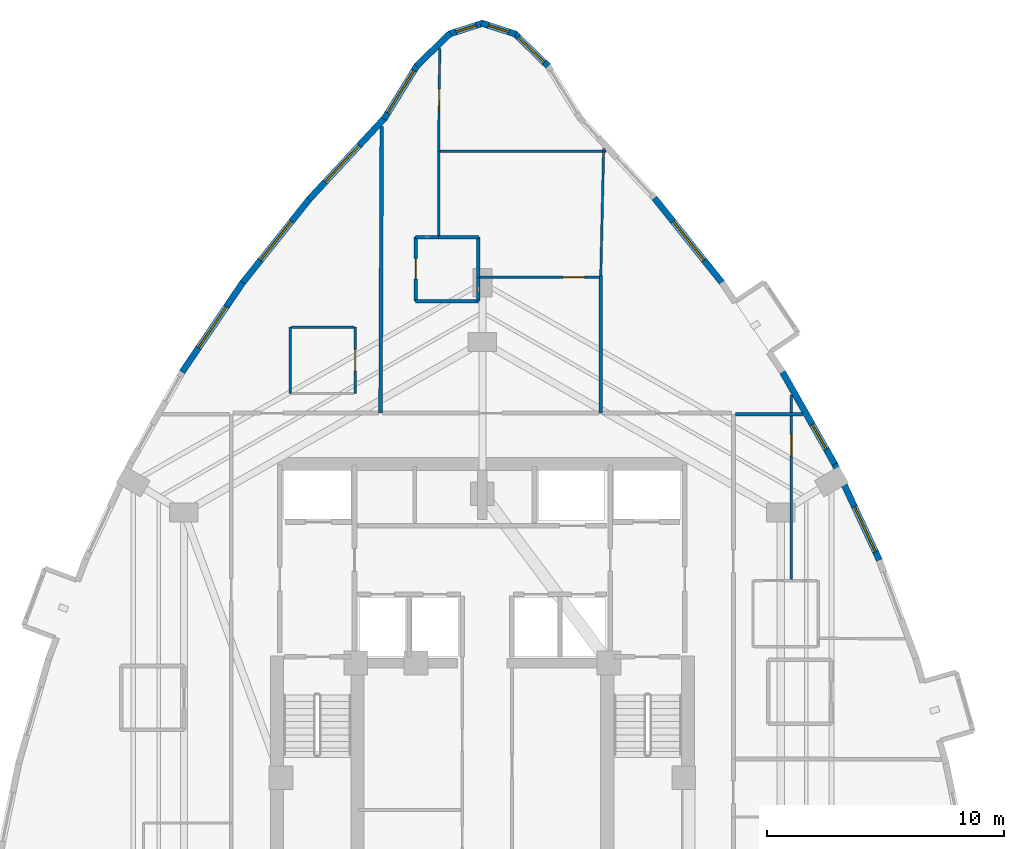
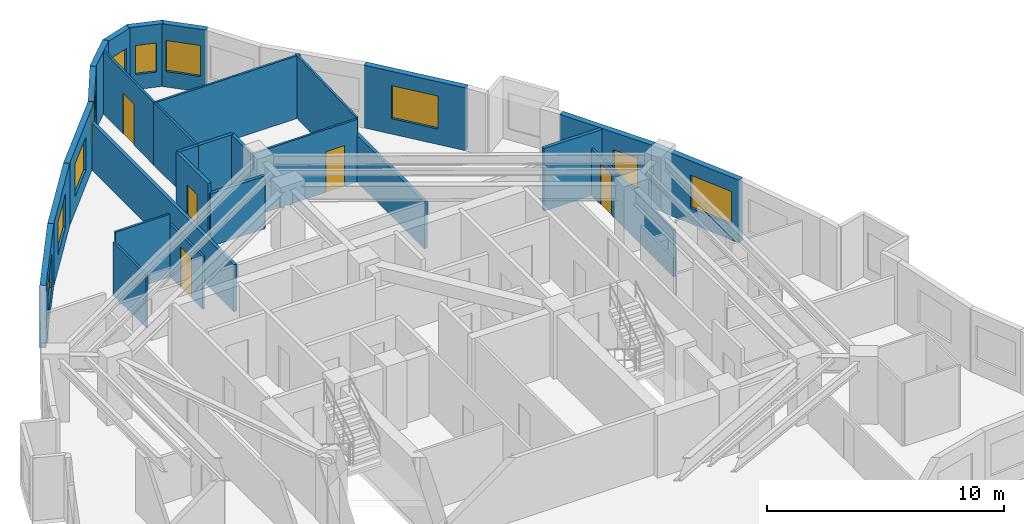
# One storey, part 8 of 10: 29 walls, 10 windows, 5 doors, 15 openings.
"""IFC4 building model written with IfcOpenShell, lengths in metres."""

from ifc_helpers import new_model, si_unit, direction, frame, frame_2d, origin, place, context, subcontext, project, spatial, rectangle, extrude, material, layer, layer_set, type_object, element, fill, save


model = new_model("IFC4")

# Units and contexts
model_context = context("Model", 3, precision=1e-05, world=origin(), true_north=direction((0.0, 1.0)))
body_context = subcontext(model_context, "Body", "Model", "MODEL_VIEW")
ifc_project = project(units=[si_unit("LENGTHUNIT", "METRE"), si_unit("AREAUNIT", "SQUARE_METRE"), si_unit("VOLUMEUNIT", "CUBIC_METRE"), si_unit("PLANEANGLEUNIT", "RADIAN"), si_unit("MASSUNIT", "GRAM", prefix="KILO")], contexts=[model_context])

# Site, building, storey
site_placement = place(None, origin())
site = spatial("IfcSite", under=ifc_project, at=site_placement, CompositionType="ELEMENT")
building_placement = place(site_placement, origin())
building = spatial("IfcBuilding", under=site, at=building_placement, Name="Miruveldt Soraemaru", CompositionType="ELEMENT")
storey_placement = place(building_placement, frame((0.0, 0.0, 124.89990234375)))
storey = spatial("IfcBuildingStorey", under=building, at=storey_placement, Name="L34", CompositionType="ELEMENT", Elevation=124.89990234375)

# Wall, opening, window
ifc_material_1 = material(Name="Precast concrete C45/55 (45 MPa)", Category="concrete")
ifc_layer_1 = layer(ifc_material_1, 0.27001953125, Name="Precast concrete C45/55 (45 MPa)", Category="concrete")
ifc_layer_set_1 = layer_set([ifc_layer_1], Name="Precast concrete C45/55 (45 MPa)")
wall_type_1 = type_object("IfcWallType", Name="WALL-EXT-PC270", PredefinedType="SOLIDWALL", material=ifc_layer_set_1)
wall_1_placement = place(storey_placement, frame((46.77978515625, 69.253173828125, 0.0), z_axis=(0.0, 0.0, 1.0), x_axis=(-0.717766525647, 0.696283860692, 0.0)))
wall_1 = element("IfcWall", 1, at=wall_1_placement, inside=storey, type_object=wall_type_1, Name="L34 Precast Concrete Facade Wall 2", PredefinedType="SOLIDWALL", context=body_context, shape_type="SweptSolid", body=[
    extrude(rectangle(XDim=1.98876953125, YDim=0.27001953125, at=frame_2d((0.994384765625, 0.0))), origin(), (0.0, 0.0, 1.0), 3.235107421875),
])
opening_1_placement = place(wall_1_placement, frame((0.243896484375, 0.0, 0.800048828125)))
opening_1 = element("IfcOpeningElement", 2, at=opening_1_placement, cuts=wall_1, Name="Opening WN-3", PredefinedType="OPENING", context=body_context, shape_type="SweptSolid", body=[
    extrude(rectangle(XDim=1.5, YDim=1.60009765625, at=frame_2d((0.75, 0.800048828125))), frame((0.0, 0.14501953125, 0.0), z_axis=(0.0, -1.0, 0.0), x_axis=(1.0, 0.0, 0.0)), (0.0, 0.0, 1.0), 0.2900390625),
])
ifc_material_2 = material(Name="Triple low-e insulated glazing", Category="glass")
window_type_1 = type_object("IfcWindowType", Name="WIN-PUNCH-1500x1600", PartitioningType="SINGLE_PANEL", PredefinedType="WINDOW", material=ifc_material_2)
window_1_placement = place(opening_1_placement, origin())
window_1 = element("IfcWindow", 3, at=window_1_placement, inside=storey, type_object=window_type_1, Name="L34 Punched Triple-Glazed Window 02.1", OverallHeight=1.60009765625, OverallWidth=1.5, PartitioningType="SINGLE_PANEL", PredefinedType="WINDOW", context=body_context, shape_type="SweptSolid", body=[
    extrude(rectangle(XDim=1.5, YDim=1.60009765625, at=frame_2d((0.75, 0.800048828125))), frame((0.0, 0.030029296875, 0.0), z_axis=(0.0, -1.0, 0.0), x_axis=(1.0, 0.0, 0.0)), (0.0, 0.0, 1.0), 0.06005859375),
])
fill(opening_1, window_1)

wall_2_placement = place(storey_placement, frame((45.41064453125, 70.602783203125, 0.0), z_axis=(0.0, 0.0, 1.0), x_axis=(-0.951508249715, 0.307623228518, 0.0)))
wall_2 = element("IfcWall", 4, at=wall_2_placement, inside=storey, type_object=wall_type_1, Name="L34 Precast Concrete Facade Wall 3", PredefinedType="SOLIDWALL", context=body_context, shape_type="SweptSolid", body=[
    extrude(rectangle(XDim=1.517333984375, YDim=0.27001953125, at=frame_2d((0.7587890625, 0.0))), origin(), (0.0, 0.0, 1.0), 3.235107421875),
])
opening_2_placement = place(wall_2_placement, frame((0.30908203125, 0.0, 0.780029296875)))
opening_2 = element("IfcOpeningElement", 5, at=opening_2_placement, cuts=wall_2, Name="Opening WN-7", PredefinedType="OPENING", context=body_context, shape_type="SweptSolid", body=[
    extrude(rectangle(XDim=0.89990234375, YDim=1.5, at=frame_2d((0.449951171875, 0.75))), frame((0.0, 0.14501953125, 0.0), z_axis=(0.0, -1.0, 0.0), x_axis=(1.0, 0.0, 0.0)), (0.0, 0.0, 1.0), 0.2900390625),
])
window_type_2 = type_object("IfcWindowType", Name="WIN-PUNCH-900x1500", PartitioningType="SINGLE_PANEL", PredefinedType="WINDOW", material=ifc_material_2)
window_2_placement = place(opening_2_placement, origin())
window_2 = element("IfcWindow", 6, at=window_2_placement, inside=storey, type_object=window_type_2, Name="L34 Punched Triple-Glazed Window 03.1", OverallHeight=1.5, OverallWidth=0.89990234375, PartitioningType="SINGLE_PANEL", PredefinedType="WINDOW", context=body_context, shape_type="SweptSolid", body=[
    extrude(rectangle(XDim=0.89990234375, YDim=1.5, at=frame_2d((0.449951171875, 0.75))), frame((0.0, 0.030029296875, 0.0), z_axis=(0.0, -1.0, 0.0), x_axis=(1.0, 0.0, 0.0)), (0.0, 0.0, 1.0), 0.06005859375),
])
fill(opening_2, window_2)

wall_3_placement = place(storey_placement, frame((44.033203125, 71.069580078125, 0.0), z_axis=(0.0, 0.0, 1.0), x_axis=(-0.951508249715, -0.307623228518, 0.0)))
wall_3 = element("IfcWall", 7, at=wall_3_placement, inside=storey, type_object=wall_type_1, Name="L34 Precast Concrete Facade Wall 4", PredefinedType="SOLIDWALL", context=body_context, shape_type="SweptSolid", body=[
    extrude(rectangle(XDim=1.517333984375, YDim=0.27001953125, at=frame_2d((0.7587890625, 0.0))), origin(), (0.0, 0.0, 1.0), 3.235107421875),
])
opening_3_placement = place(wall_3_placement, frame((0.30908203125, 0.0, 0.780029296875)))
opening_3 = element("IfcOpeningElement", 8, at=opening_3_placement, cuts=wall_3, Name="Opening WN-7", PredefinedType="OPENING", context=body_context, shape_type="SweptSolid", body=[
    extrude(rectangle(XDim=0.89990234375, YDim=1.5, at=frame_2d((0.449951171875, 0.75))), frame((0.0, 0.14501953125, 0.0), z_axis=(0.0, -1.0, 0.0), x_axis=(1.0, 0.0, 0.0)), (0.0, 0.0, 1.0), 0.2900390625),
])
window_3_placement = place(opening_3_placement, origin())
window_3 = element("IfcWindow", 9, at=window_3_placement, inside=storey, type_object=window_type_2, Name="L34 Punched Triple-Glazed Window 04.1", OverallHeight=1.5, OverallWidth=0.89990234375, PartitioningType="SINGLE_PANEL", PredefinedType="WINDOW", context=body_context, shape_type="SweptSolid", body=[
    extrude(rectangle(XDim=0.89990234375, YDim=1.5, at=frame_2d((0.449951171875, 0.75))), frame((0.0, 0.030029296875, 0.0), z_axis=(0.0, -1.0, 0.0), x_axis=(1.0, 0.0, 0.0)), (0.0, 0.0, 1.0), 0.06005859375),
])
fill(opening_3, window_3)

# Wall
wall_4_placement = place(storey_placement, frame((42.647705078125, 70.637939453125, 0.0), z_axis=(0.0, 0.0, 1.0), x_axis=(-0.717766525647, -0.696283860692, 0.0)))
element("IfcWall", 10, at=wall_4_placement, inside=storey, type_object=wall_type_1, Name="L34 Precast Concrete Facade Wall 5", PredefinedType="SOLIDWALL", context=body_context, shape_type="SweptSolid", body=[
    extrude(rectangle(XDim=1.98876953125, YDim=0.27001953125, at=frame_2d((0.994384765625, 0.0))), origin(), (0.0, 0.0, 1.0), 3.235107421875),
])

# Wall, opening, window
wall_5_placement = place(storey_placement, frame((41.263671875, 69.307373046875, 0.0), z_axis=(0.0, 0.0, 1.0), x_axis=(-0.526066967344, -0.850443146759, 0.0)))
wall_5 = element("IfcWall", 11, at=wall_5_placement, inside=storey, type_object=wall_type_1, Name="L34 Precast Concrete Facade Wall 6", PredefinedType="SOLIDWALL", context=body_context, shape_type="SweptSolid", body=[
    extrude(rectangle(XDim=2.6884765625, YDim=0.27001953125, at=frame_2d((1.34423828125, 0.0))), origin(), (0.0, 0.0, 1.0), 3.235107421875),
])
opening_4_placement = place(wall_5_placement, frame((0.2939453125, 0.0, 0.800048828125)))
opening_4 = element("IfcOpeningElement", 12, at=opening_4_placement, cuts=wall_5, Name="Opening WN-1", PredefinedType="OPENING", context=body_context, shape_type="SweptSolid", body=[
    extrude(rectangle(XDim=2.10009765625, YDim=1.699951171875, at=frame_2d((1.050048828125, 0.85009765625))), frame((0.0, 0.14501953125, 0.0), z_axis=(0.0, -1.0, 0.0), x_axis=(1.0, 0.0, 0.0)), (0.0, 0.0, 1.0), 0.2900390625),
])
window_type_3 = type_object("IfcWindowType", Name="WIN-PUNCH-2100x1700", PartitioningType="SINGLE_PANEL", PredefinedType="WINDOW", material=ifc_material_2)
window_4_placement = place(opening_4_placement, origin())
window_4 = element("IfcWindow", 13, at=window_4_placement, inside=storey, type_object=window_type_3, Name="L34 Punched Triple-Glazed Window 06.1", OverallHeight=1.699951171875, OverallWidth=2.10009765625, PartitioningType="SINGLE_PANEL", PredefinedType="WINDOW", context=body_context, shape_type="SweptSolid", body=[
    extrude(rectangle(XDim=2.10009765625, YDim=1.699951171875, at=frame_2d((1.050048828125, 0.85009765625))), frame((0.0, 0.030029296875, 0.0), z_axis=(0.0, -1.0, 0.0), x_axis=(1.0, 0.0, 0.0)), (0.0, 0.0, 1.0), 0.06005859375),
])
fill(opening_4, window_4)

wall_6_placement = place(storey_placement, frame((39.8916015625, 67.076416015625, 0.0), z_axis=(0.0, 0.0, 1.0), x_axis=(-0.680872527791, -0.732401939442, 0.0)))
wall_6 = element("IfcWall", 14, at=wall_6_placement, inside=storey, type_object=wall_type_1, Name="L34 Precast Concrete Facade Wall 7", PredefinedType="SOLIDWALL", context=body_context, shape_type="SweptSolid", body=[
    extrude(rectangle(XDim=4.70947265625, YDim=0.27001953125, at=frame_2d((2.354736328125, 0.0))), origin(), (0.0, 0.0, 1.0), 3.235107421875),
])
opening_5_placement = place(wall_6_placement, frame((1.60693359375, 0.0, 0.800048828125)))
opening_5 = element("IfcOpeningElement", 15, at=opening_5_placement, cuts=wall_6, Name="Opening WN-1", PredefinedType="OPENING", context=body_context, shape_type="SweptSolid", body=[
    extrude(rectangle(XDim=2.10009765625, YDim=1.699951171875, at=frame_2d((1.050048828125, 0.85009765625))), frame((0.0, 0.14501953125, 0.0), z_axis=(0.0, -1.0, 0.0), x_axis=(1.0, 0.0, 0.0)), (0.0, 0.0, 1.0), 0.2900390625),
])
window_5_placement = place(opening_5_placement, origin())
window_5 = element("IfcWindow", 16, at=window_5_placement, inside=storey, type_object=window_type_3, Name="L34 Punched Triple-Glazed Window 07.1", OverallHeight=1.699951171875, OverallWidth=2.10009765625, PartitioningType="SINGLE_PANEL", PredefinedType="WINDOW", context=body_context, shape_type="SweptSolid", body=[
    extrude(rectangle(XDim=2.10009765625, YDim=1.699951171875, at=frame_2d((1.050048828125, 0.85009765625))), frame((0.0, 0.030029296875, 0.0), z_axis=(0.0, -1.0, 0.0), x_axis=(1.0, 0.0, 0.0)), (0.0, 0.0, 1.0), 0.06005859375),
])
fill(opening_5, window_5)

wall_7_placement = place(storey_placement, frame((36.730712890625, 63.680419921875, 0.0), z_axis=(0.0, 0.0, 1.0), x_axis=(-0.62361968667, -0.781727885135, 0.0)))
wall_7 = element("IfcWall", 17, at=wall_7_placement, inside=storey, type_object=wall_type_1, Name="L34 Precast Concrete Facade Wall 8", PredefinedType="SOLIDWALL", context=body_context, shape_type="SweptSolid", body=[
    extrude(rectangle(XDim=4.626220703125, YDim=0.27001953125, at=frame_2d((2.31298828125, 0.0))), origin(), (0.0, 0.0, 1.0), 3.235107421875),
])
opening_6_placement = place(wall_7_placement, frame((1.262939453125, 0.0, 0.800048828125)))
opening_6 = element("IfcOpeningElement", 18, at=opening_6_placement, cuts=wall_7, Name="Opening WN-1", PredefinedType="OPENING", context=body_context, shape_type="SweptSolid", body=[
    extrude(rectangle(XDim=2.10009765625, YDim=1.699951171875, at=frame_2d((1.050048828125, 0.85009765625))), frame((0.0, 0.14501953125, 0.0), z_axis=(0.0, -1.0, 0.0), x_axis=(1.0, 0.0, 0.0)), (0.0, 0.0, 1.0), 0.2900390625),
])
window_6_placement = place(opening_6_placement, origin())
window_6 = element("IfcWindow", 19, at=window_6_placement, inside=storey, type_object=window_type_3, Name="L34 Punched Triple-Glazed Window 08.1", OverallHeight=1.699951171875, OverallWidth=2.10009765625, PartitioningType="SINGLE_PANEL", PredefinedType="WINDOW", context=body_context, shape_type="SweptSolid", body=[
    extrude(rectangle(XDim=2.10009765625, YDim=1.699951171875, at=frame_2d((1.050048828125, 0.85009765625))), frame((0.0, 0.030029296875, 0.0), z_axis=(0.0, -1.0, 0.0), x_axis=(1.0, 0.0, 0.0)), (0.0, 0.0, 1.0), 0.06005859375),
])
fill(opening_6, window_6)

wall_8_placement = place(storey_placement, frame((33.88720703125, 60.120361328125, 0.0), z_axis=(0.0, 0.0, 1.0), x_axis=(-0.560812705156, -0.827942697133, 0.0)))
wall_8 = element("IfcWall", 20, at=wall_8_placement, inside=storey, type_object=wall_type_1, Name="L34 Precast Concrete Facade Wall 9", PredefinedType="SOLIDWALL", context=body_context, shape_type="SweptSolid", body=[
    extrude(rectangle(XDim=4.569580078125, YDim=0.27001953125, at=frame_2d((2.28466796875, 0.0))), origin(), (0.0, 0.0, 1.0), 3.235107421875),
])
opening_7_placement = place(wall_8_placement, frame((1.235107421875, 0.0, 0.800048828125)))
opening_7 = element("IfcOpeningElement", 21, at=opening_7_placement, cuts=wall_8, Name="Opening WN-1", PredefinedType="OPENING", context=body_context, shape_type="SweptSolid", body=[
    extrude(rectangle(XDim=2.10009765625, YDim=1.699951171875, at=frame_2d((1.050048828125, 0.85009765625))), frame((0.0, 0.14501953125, 0.0), z_axis=(0.0, -1.0, 0.0), x_axis=(1.0, 0.0, 0.0)), (0.0, 0.0, 1.0), 0.2900390625),
])
window_7_placement = place(opening_7_placement, origin())
window_7 = element("IfcWindow", 22, at=window_7_placement, inside=storey, type_object=window_type_3, Name="L34 Punched Triple-Glazed Window 09.1", OverallHeight=1.699951171875, OverallWidth=2.10009765625, PartitioningType="SINGLE_PANEL", PredefinedType="WINDOW", context=body_context, shape_type="SweptSolid", body=[
    extrude(rectangle(XDim=2.10009765625, YDim=1.699951171875, at=frame_2d((1.050048828125, 0.85009765625))), frame((0.0, 0.030029296875, 0.0), z_axis=(0.0, -1.0, 0.0), x_axis=(1.0, 0.0, 0.0)), (0.0, 0.0, 1.0), 0.06005859375),
])
fill(opening_7, window_7)

wall_9_placement = place(storey_placement, frame((60.764892578125, 48.39208984375, 0.0), z_axis=(0.0, 0.0, 1.0), x_axis=(-0.422335038646, 0.906439802266, 0.0)))
wall_9 = element("IfcWall", 23, at=wall_9_placement, inside=storey, type_object=wall_type_1, Name="L34 Precast Concrete Facade Wall 38", PredefinedType="SOLIDWALL", context=body_context, shape_type="SweptSolid", body=[
    extrude(rectangle(XDim=4.541259765625, YDim=0.27001953125, at=frame_2d((2.2705078125, 0.0))), origin(), (0.0, 0.0, 1.0), 3.235107421875),
])
opening_8_placement = place(wall_9_placement, frame((0.39404296875, 0.0, 0.800048828125)))
opening_8 = element("IfcOpeningElement", 24, at=opening_8_placement, cuts=wall_9, Name="Opening WN-1", PredefinedType="OPENING", context=body_context, shape_type="SweptSolid", body=[
    extrude(rectangle(XDim=2.10009765625, YDim=1.699951171875, at=frame_2d((1.050048828125, 0.85009765625))), frame((0.0, 0.14501953125, 0.0), z_axis=(0.0, -1.0, 0.0), x_axis=(1.0, 0.0, 0.0)), (0.0, 0.0, 1.0), 0.2900390625),
])
window_8_placement = place(opening_8_placement, origin())
window_8 = element("IfcWindow", 25, at=window_8_placement, inside=storey, type_object=window_type_3, Name="L34 Punched Triple-Glazed Window 38.1", OverallHeight=1.699951171875, OverallWidth=2.10009765625, PartitioningType="SINGLE_PANEL", PredefinedType="WINDOW", context=body_context, shape_type="SweptSolid", body=[
    extrude(rectangle(XDim=2.10009765625, YDim=1.699951171875, at=frame_2d((1.050048828125, 0.85009765625))), frame((0.0, 0.030029296875, 0.0), z_axis=(0.0, -1.0, 0.0), x_axis=(1.0, 0.0, 0.0)), (0.0, 0.0, 1.0), 0.06005859375),
])
fill(opening_8, window_8)

wall_10_placement = place(storey_placement, frame((58.879150390625, 52.4462890625, 0.0), z_axis=(0.0, 0.0, 1.0), x_axis=(-0.49335164036, 0.869829959793, 0.0)))
wall_10 = element("IfcWall", 26, at=wall_10_placement, inside=storey, type_object=wall_type_1, Name="L34 Precast Concrete Facade Wall 39", PredefinedType="SOLIDWALL", context=body_context, shape_type="SweptSolid", body=[
    extrude(rectangle(XDim=4.541259765625, YDim=0.27001953125, at=frame_2d((2.2705078125, 0.0))), origin(), (0.0, 0.0, 1.0), 3.235107421875),
])
opening_9_placement = place(wall_10_placement, frame((0.72900390625, 0.0, 0.780029296875)))
opening_9 = element("IfcOpeningElement", 27, at=opening_9_placement, cuts=wall_10, Name="Opening WN-4", PredefinedType="OPENING", context=body_context, shape_type="SweptSolid", body=[
    extrude(rectangle(XDim=1.199951171875, YDim=1.550048828125, at=frame_2d((0.60009765625, 0.77490234375))), frame((0.0, 0.14501953125, 0.0), z_axis=(0.0, -1.0, 0.0), x_axis=(1.0, 0.0, 0.0)), (0.0, 0.0, 1.0), 0.2900390625),
])
window_type_4 = type_object("IfcWindowType", Name="WIN-PUNCH-1200x1550", PartitioningType="SINGLE_PANEL", PredefinedType="WINDOW", material=ifc_material_2)
window_9_placement = place(opening_9_placement, origin())
window_9 = element("IfcWindow", 28, at=window_9_placement, inside=storey, type_object=window_type_4, Name="L34 Punched Triple-Glazed Window 39.1", OverallHeight=1.550048828125, OverallWidth=1.199951171875, PartitioningType="SINGLE_PANEL", PredefinedType="WINDOW", context=body_context, shape_type="SweptSolid", body=[
    extrude(rectangle(XDim=1.199951171875, YDim=1.550048828125, at=frame_2d((0.60009765625, 0.77490234375))), frame((0.0, 0.030029296875, 0.0), z_axis=(0.0, -1.0, 0.0), x_axis=(1.0, 0.0, 0.0)), (0.0, 0.0, 1.0), 0.06005859375),
])
fill(opening_9, window_9)

wall_11_placement = place(storey_placement, frame((54.154296875, 60.06396484375, 0.0), z_axis=(0.0, 0.0, 1.0), x_axis=(-0.62361968667, 0.781727885135, 0.0)))
wall_11 = element("IfcWall", 29, at=wall_11_placement, inside=storey, type_object=wall_type_1, Name="L34 Precast Concrete Facade Wall 41", PredefinedType="SOLIDWALL", context=body_context, shape_type="SweptSolid", body=[
    extrude(rectangle(XDim=4.626220703125, YDim=0.27001953125, at=frame_2d((2.31298828125, 0.0))), origin(), (0.0, 0.0, 1.0), 3.235107421875),
])
opening_10_placement = place(wall_11_placement, frame((1.262939453125, 0.0, 0.800048828125)))
opening_10 = element("IfcOpeningElement", 30, at=opening_10_placement, cuts=wall_11, Name="Opening WN-1", PredefinedType="OPENING", context=body_context, shape_type="SweptSolid", body=[
    extrude(rectangle(XDim=2.10009765625, YDim=1.699951171875, at=frame_2d((1.050048828125, 0.85009765625))), frame((0.0, 0.14501953125, 0.0), z_axis=(0.0, -1.0, 0.0), x_axis=(1.0, 0.0, 0.0)), (0.0, 0.0, 1.0), 0.2900390625),
])
window_10_placement = place(opening_10_placement, origin())
window_10 = element("IfcWindow", 31, at=window_10_placement, inside=storey, type_object=window_type_3, Name="L34 Punched Triple-Glazed Window 41.1", OverallHeight=1.699951171875, OverallWidth=2.10009765625, PartitioningType="SINGLE_PANEL", PredefinedType="WINDOW", context=body_context, shape_type="SweptSolid", body=[
    extrude(rectangle(XDim=2.10009765625, YDim=1.699951171875, at=frame_2d((1.050048828125, 0.85009765625))), frame((0.0, 0.030029296875, 0.0), z_axis=(0.0, -1.0, 0.0), x_axis=(1.0, 0.0, 0.0)), (0.0, 0.0, 1.0), 0.06005859375),
])
fill(opening_10, window_10)

# Wall, opening, door
ifc_material_3 = material(Name="Gypsum plasterboard lining", Category="gypsum")
ifc_layer_2 = layer(ifc_material_3, 0.10009765625, Name="Gypsum plasterboard lining", Category="gypsum")
ifc_layer_set_2 = layer_set([ifc_layer_2], Name="Gypsum plasterboard lining")
wall_type_2 = type_object("IfcWallType", Name="WALL-INT-P100", PredefinedType="PARTITIONING", material=ifc_layer_set_2)
wall_12_placement = place(storey_placement, frame((57.050048828125, 47.530029296875, 0.0), z_axis=(0.0, 0.0, 1.0), x_axis=(0.0, 1.0, 0.0)))
wall_12 = element("IfcWall", 32, at=wall_12_placement, inside=storey, type_object=wall_type_2, Name="L34 Partition Wall 48", PredefinedType="PARTITIONING", context=body_context, shape_type="SweptSolid", body=[
    extrude(rectangle(XDim=7.8369140625, YDim=0.10009765625, at=frame_2d((3.91845703125, 0.0))), origin(), (0.0, 0.0, 1.0), 2.423095703125),
])
opening_11_placement = place(wall_12_placement, frame((5.258056640625, 0.0, 0.0)))
opening_11 = element("IfcOpeningElement", 33, at=opening_11_placement, cuts=wall_12, Name="Opening D3A", PredefinedType="OPENING", context=body_context, shape_type="SweptSolid", body=[
    extrude(rectangle(XDim=0.919921875, YDim=2.10009765625, at=frame_2d((0.4599609375, 1.050048828125))), frame((0.0, 0.06005859375, 0.0), z_axis=(0.0, -1.0, 0.0), x_axis=(1.0, 0.0, 0.0)), (0.0, 0.0, 1.0), 0.1201171875),
])
ifc_material_4 = material(Name="Anodised aluminium EN AW-6063 T6", Category="aluminium")
door_type_1 = type_object("IfcDoorType", Name="DOOR-INT-920", OperationType="NOTDEFINED", PredefinedType="DOOR", material=ifc_material_4)
door_1_placement = place(opening_11_placement, origin())
door_1 = element("IfcDoor", 34, at=door_1_placement, inside=storey, type_object=door_type_1, Name="L34 Unit 3406 BD1 Door", OperationType="SINGLE_SWING_LEFT", OverallHeight=2.10009765625, OverallWidth=0.919921875, PredefinedType="DOOR", context=body_context, shape_type="SweptSolid", body=[
    extrude(rectangle(XDim=0.919921875, YDim=2.10009765625, at=frame_2d((0.4599609375, 1.050048828125))), frame((0.0, 0.02490234375, 0.0), z_axis=(0.0, -1.0, 0.0), x_axis=(1.0, 0.0, 0.0)), (0.0, 0.0, 1.0), 0.050048828125),
])
fill(opening_11, door_1)

wall_13_placement = place(storey_placement, frame((48.949951171875, 60.3310546875, 0.0), z_axis=(0.0, 0.0, 1.0), x_axis=(-1.0, 0.0, 0.0)))
wall_13 = element("IfcWall", 35, at=wall_13_placement, inside=storey, type_object=wall_type_2, Name="L34 Partition Wall 22", PredefinedType="PARTITIONING", context=body_context, shape_type="SweptSolid", body=[
    extrude(rectangle(XDim=5.06689453125, YDim=0.10009765625, at=frame_2d((2.533447265625, 0.0))), origin(), (0.0, 0.0, 1.0), 3.235107421875),
])
opening_12_placement = place(wall_13_placement, frame((0.634033203125, 0.0, 0.0)))
opening_12 = element("IfcOpeningElement", 36, at=opening_12_placement, cuts=wall_13, Name="Opening D3A", PredefinedType="OPENING", context=body_context, shape_type="SweptSolid", body=[
    extrude(rectangle(XDim=0.919921875, YDim=2.10009765625, at=frame_2d((0.4599609375, 1.050048828125))), frame((0.0, 0.06005859375, 0.0), z_axis=(0.0, -1.0, 0.0), x_axis=(1.0, 0.0, 0.0)), (0.0, 0.0, 1.0), 0.1201171875),
])
door_2_placement = place(opening_12_placement, origin())
door_2 = element("IfcDoor", 37, at=door_2_placement, inside=storey, type_object=door_type_1, Name="L34 Unit 3402 BD1 Door", OperationType="SINGLE_SWING_RIGHT", OverallHeight=2.10009765625, OverallWidth=0.919921875, PredefinedType="DOOR", context=body_context, shape_type="SweptSolid", body=[
    extrude(rectangle(XDim=0.919921875, YDim=2.10009765625, at=frame_2d((0.4599609375, 1.050048828125))), frame((0.0, 0.02490234375, 0.0), z_axis=(0.0, -1.0, 0.0), x_axis=(1.0, 0.0, 0.0)), (0.0, 0.0, 1.0), 0.050048828125),
])
fill(opening_12, door_2)

wall_14_placement = place(storey_placement, frame((42.153076171875, 65.653076171875, 0.0), z_axis=(0.0, 0.0, 1.0), x_axis=(0.011239665407, 0.999936832966, 0.0)))
wall_14 = element("IfcWall", 38, at=wall_14_placement, inside=storey, type_object=wall_type_2, Name="L34 Partition Wall 24", PredefinedType="PARTITIONING", context=body_context, shape_type="SweptSolid", body=[
    extrude(rectangle(XDim=4.34423828125, YDim=0.10009765625, at=frame_2d((2.172119140625, 0.0))), origin(), (0.0, 0.0, 1.0), 3.235107421875),
])
opening_13_placement = place(wall_14_placement, frame((1.7119140625, 0.0, 0.0)))
opening_13 = element("IfcOpeningElement", 39, at=opening_13_placement, cuts=wall_14, Name="Opening D3A", PredefinedType="OPENING", context=body_context, shape_type="SweptSolid", body=[
    extrude(rectangle(XDim=0.919921875, YDim=2.10009765625, at=frame_2d((0.4599609375, 1.050048828125))), frame((0.0, 0.06005859375, 0.0), z_axis=(0.0, -1.0, 0.0), x_axis=(1.0, 0.0, 0.0)), (0.0, 0.0, 1.0), 0.1201171875),
])
door_3_placement = place(opening_13_placement, origin())
door_3 = element("IfcDoor", 40, at=door_3_placement, inside=storey, type_object=door_type_1, Name="L34 Unit 3402 BD2 Door", OperationType="SINGLE_SWING_LEFT", OverallHeight=2.10009765625, OverallWidth=0.919921875, PredefinedType="DOOR", context=body_context, shape_type="SweptSolid", body=[
    extrude(rectangle(XDim=0.919921875, YDim=2.10009765625, at=frame_2d((0.4599609375, 1.050048828125))), frame((0.0, 0.02490234375, 0.0), z_axis=(0.0, -1.0, 0.0), x_axis=(1.0, 0.0, 0.0)), (0.0, 0.0, 1.0), 0.050048828125),
])
fill(opening_13, door_3)

wall_15_placement = place(storey_placement, frame((38.636962890625, 55.429931640625, 0.0), z_axis=(0.0, 0.0, 1.0), x_axis=(0.0, 1.0, 0.0)))
wall_15 = element("IfcWall", 41, at=wall_15_placement, inside=storey, type_object=wall_type_2, Name="L34 Partition Wall 12", PredefinedType="PARTITIONING", context=body_context, shape_type="SweptSolid", body=[
    extrude(rectangle(XDim=2.800048828125, YDim=0.10009765625, at=frame_2d((1.39990234375, 0.0))), origin(), (0.0, 0.0, 1.0), 2.72314453125),
])
opening_14_placement = place(wall_15_placement, frame((0.93994140625, 0.0, 0.0)))
opening_14 = element("IfcOpeningElement", 42, at=opening_14_placement, cuts=wall_15, Name="Opening D3A", PredefinedType="OPENING", context=body_context, shape_type="SweptSolid", body=[
    extrude(rectangle(XDim=0.919921875, YDim=2.10009765625, at=frame_2d((0.4599609375, 1.050048828125))), frame((0.0, 0.06005859375, 0.0), z_axis=(0.0, -1.0, 0.0), x_axis=(1.0, 0.0, 0.0)), (0.0, 0.0, 1.0), 0.1201171875),
])
door_4_placement = place(opening_14_placement, origin())
door_4 = element("IfcDoor", 43, at=door_4_placement, inside=storey, type_object=door_type_1, Name="L34 Unit CL01 KIT Door", OperationType="SINGLE_SWING_LEFT", OverallHeight=2.10009765625, OverallWidth=0.919921875, PredefinedType="DOOR", context=body_context, shape_type="SweptSolid", body=[
    extrude(rectangle(XDim=0.919921875, YDim=2.10009765625, at=frame_2d((0.4599609375, 1.050048828125))), frame((0.0, 0.02490234375, 0.0), z_axis=(0.0, -1.0, 0.0), x_axis=(1.0, 0.0, 0.0)), (0.0, 0.0, 1.0), 0.050048828125),
])
fill(opening_14, door_4)

# Walls
wall_16_placement = place(storey_placement, frame((49.22705078125, 65.653076171875, 0.0), z_axis=(0.0, 0.0, 1.0), x_axis=(-1.0, 0.0, 0.0)))
element("IfcWall", 44, at=wall_16_placement, inside=storey, type_object=wall_type_2, Name="L34 Partition Wall 28", PredefinedType="PARTITIONING", context=body_context, shape_type="SweptSolid", body=[
    extrude(rectangle(XDim=7.024169921875, YDim=0.10009765625, at=frame_2d((3.51220703125, 0.0))), origin(), (0.0, 0.0, 1.0), 3.235107421875),
])
wall_17_placement = place(storey_placement, frame((49.1220703125, 65.76611328125, 0.0), z_axis=(0.0, 0.0, 1.0), x_axis=(-0.022466238252, -0.999747602217, 0.0)))
element("IfcWall", 45, at=wall_17_placement, inside=storey, type_object=wall_type_2, Name="L34 Partition Wall 58", PredefinedType="PARTITIONING", context=body_context, shape_type="SweptSolid", body=[
    extrude(rectangle(XDim=5.3466796875, YDim=0.10009765625, at=frame_2d((2.67333984375, 0.0))), origin(), (0.0, 0.0, 1.0), 3.235107421875),
])
wall_18_placement = place(storey_placement, frame((42.153076171875, 62.030029296875, 0.0), z_axis=(0.0, 0.0, 1.0), x_axis=(0.0, 1.0, 0.0)))
element("IfcWall", 46, at=wall_18_placement, inside=storey, type_object=wall_type_2, Name="L34 Partition Wall 23", PredefinedType="PARTITIONING", context=body_context, shape_type="SweptSolid", body=[
    extrude(rectangle(XDim=3.623046875, YDim=0.10009765625, at=frame_2d((1.8115234375, 0.0))), origin(), (0.0, 0.0, 1.0), 3.235107421875),
])
wall_19_placement = place(storey_placement, frame((35.886962890625, 58.22998046875, 0.0), z_axis=(0.0, 0.0, 1.0), x_axis=(0.0, -1.0, 0.0)))
element("IfcWall", 47, at=wall_19_placement, inside=storey, type_object=wall_type_2, Name="L34 Partition Wall 14", PredefinedType="PARTITIONING", context=body_context, shape_type="SweptSolid", body=[
    extrude(rectangle(XDim=2.800048828125, YDim=0.10009765625, at=frame_2d((1.39990234375, 0.0))), origin(), (0.0, 0.0, 1.0), 2.72314453125),
])
wall_20_placement = place(storey_placement, frame((38.5869140625, 58.22998046875, 0.0), z_axis=(0.0, 0.0, 1.0), x_axis=(-1.0, 0.0, 0.0)))
element("IfcWall", 48, at=wall_20_placement, inside=storey, type_object=wall_type_2, Name="L34 Partition Wall 13", PredefinedType="PARTITIONING", context=body_context, shape_type="SweptSolid", body=[
    extrude(rectangle(XDim=2.64990234375, YDim=0.10009765625, at=frame_2d((1.324951171875, 0.0))), origin(), (0.0, 0.0, 1.0), 3.235107421875),
])

# Wall, opening, door
ifc_layer_3 = layer(ifc_material_3, 0.14990234375, Name="Gypsum plasterboard lining", Category="gypsum")
ifc_layer_set_3 = layer_set([ifc_layer_3], Name="Gypsum plasterboard lining")
wall_type_3 = type_object("IfcWallType", Name="WALL-INT-PLUMB", PredefinedType="PLUMBINGWALL", material=ifc_layer_set_3)
wall_21_placement = place(storey_placement, frame((41.18310546875, 62.030029296875, 0.0), z_axis=(0.0, 0.0, 1.0), x_axis=(0.0, -1.0, 0.0)))
wall_21 = element("IfcWall", 49, at=wall_21_placement, inside=storey, type_object=wall_type_3, Name="L34 Partition Wall 20", PredefinedType="PLUMBINGWALL", context=body_context, shape_type="SweptSolid", body=[
    extrude(rectangle(XDim=2.699951171875, YDim=0.14990234375, at=frame_2d((1.35009765625, 0.0))), origin(), (0.0, 0.0, 1.0), 3.235107421875),
])
opening_15_placement = place(wall_21_placement, frame((0.909912109375, 0.0, 0.0)))
opening_15 = element("IfcOpeningElement", 50, at=opening_15_placement, cuts=wall_21, Name="Opening FD3", PredefinedType="OPENING", context=body_context, shape_type="SweptSolid", body=[
    extrude(rectangle(XDim=0.85009765625, YDim=2.10009765625, at=frame_2d((0.425048828125, 1.050048828125))), frame((0.0, 0.0849609375, 0.0), z_axis=(0.0, -1.0, 0.0), x_axis=(1.0, 0.0, 0.0)), (0.0, 0.0, 1.0), 0.169921875),
])
door_type_2 = type_object("IfcDoorType", Name="DOOR-FD3-850", OperationType="NOTDEFINED", PredefinedType="DOOR", material=ifc_material_4)
door_5_placement = place(opening_15_placement, origin())
door_5 = element("IfcDoor", 51, at=door_5_placement, inside=storey, type_object=door_type_2, Name="L34 Unit 3402 BTH Door", OperationType="SINGLE_SWING_LEFT", OverallHeight=2.10009765625, OverallWidth=0.85009765625, PredefinedType="DOOR", context=body_context, shape_type="SweptSolid", body=[
    extrude(rectangle(XDim=0.85009765625, YDim=2.10009765625, at=frame_2d((0.425048828125, 1.050048828125))), frame((0.0, 0.02490234375, 0.0), z_axis=(0.0, -1.0, 0.0), x_axis=(1.0, 0.0, 0.0)), (0.0, 0.0, 1.0), 0.050048828125),
])
fill(opening_15, door_5)

# Walls
wall_22_placement = place(storey_placement, frame((41.18310546875, 59.330078125, 0.0), z_axis=(0.0, 0.0, 1.0), x_axis=(1.0, 0.0, 0.0)))
element("IfcWall", 52, at=wall_22_placement, inside=storey, type_object=wall_type_3, Name="L34 Partition Wall 21", PredefinedType="PLUMBINGWALL", context=body_context, shape_type="SweptSolid", body=[
    extrude(rectangle(XDim=2.64990234375, YDim=0.14990234375, at=frame_2d((1.324951171875, 0.0))), origin(), (0.0, 0.0, 1.0), 2.72314453125),
])
wall_23_placement = place(storey_placement, frame((43.8330078125, 60.3310546875, 0.0), z_axis=(0.0, 0.0, 1.0), x_axis=(0.0, 1.0, 0.0)))
element("IfcWall", 53, at=wall_23_placement, inside=storey, type_object=wall_type_3, Name="L34 Partition Wall 26", PredefinedType="PLUMBINGWALL", context=body_context, shape_type="SweptSolid", body=[
    extrude(rectangle(XDim=1.698974609375, YDim=0.14990234375, at=frame_2d((0.849609375, 0.0))), origin(), (0.0, 0.0, 1.0), 3.235107421875),
])
wall_24_placement = place(storey_placement, frame((43.8330078125, 62.030029296875, 0.0), z_axis=(0.0, 0.0, 1.0), x_axis=(-1.0, 0.0, 0.0)))
element("IfcWall", 54, at=wall_24_placement, inside=storey, type_object=wall_type_3, Name="L34 Partition Wall 27", PredefinedType="PLUMBINGWALL", context=body_context, shape_type="SweptSolid", body=[
    extrude(rectangle(XDim=1.679931640625, YDim=0.14990234375, at=frame_2d((0.83984375, 0.0))), origin(), (0.0, 0.0, 1.0), 3.235107421875),
])
wall_25_placement = place(storey_placement, frame((43.8330078125, 59.330078125, 0.0), z_axis=(0.0, 0.0, 1.0), x_axis=(0.0, 1.0, 0.0)))
element("IfcWall", 55, at=wall_25_placement, inside=storey, type_object=wall_type_3, Name="L34 Partition Wall 18", PredefinedType="PLUMBINGWALL", context=body_context, shape_type="SweptSolid", body=[
    extrude(rectangle(XDim=1.0009765625, YDim=0.14990234375, at=frame_2d((0.50048828125, 0.0))), origin(), (0.0, 0.0, 1.0), 2.423095703125),
])
wall_26_placement = place(storey_placement, frame((42.153076171875, 62.030029296875, 0.0), z_axis=(0.0, 0.0, 1.0), x_axis=(-1.0, 0.0, 0.0)))
element("IfcWall", 56, at=wall_26_placement, inside=storey, type_object=wall_type_3, Name="L34 Partition Wall 19", PredefinedType="PLUMBINGWALL", context=body_context, shape_type="SweptSolid", body=[
    extrude(rectangle(XDim=0.969970703125, YDim=0.14990234375, at=frame_2d((0.48486328125, 0.0))), origin(), (0.0, 0.0, 1.0), 3.235107421875),
])
ifc_material_5 = material(Name="Concrete C40/50 (40 MPa)", Category="concrete")
ifc_layer_4 = layer(ifc_material_5, 0.159912109375, Name="Concrete C40/50 (40 MPa)", Category="concrete")
ifc_layer_set_4 = layer_set([ifc_layer_4], Name="Concrete C40/50 (40 MPa)")
wall_type_4 = type_object("IfcWallType", Name="WALL-INT-RC160", PredefinedType="SOLIDWALL", material=ifc_layer_set_4)
wall_27_placement = place(storey_placement, frame((39.702880859375, 54.60302734375, 0.0), z_axis=(0.0, 0.0, 1.0), x_axis=(0.004134863196, 0.999991451417, 0.0)))
element("IfcWall", 57, at=wall_27_placement, inside=storey, type_object=wall_type_4, Name="L34 Partition Wall 16", PredefinedType="SOLIDWALL", context=body_context, shape_type="SweptSolid", body=[
    extrude(rectangle(XDim=12.10400390625, YDim=0.159912109375, at=frame_2d((6.052001953125, 0.0))), origin(), (0.0, 0.0, 1.0), 2.423095703125),
])
wall_28_placement = place(storey_placement, frame((49.0, 54.60009765625, 0.0), z_axis=(0.0, 0.0, 1.0), x_axis=(0.0, 1.0, 0.0)))
element("IfcWall", 58, at=wall_28_placement, inside=storey, type_object=wall_type_4, Name="L34 Partition Wall 25", PredefinedType="SOLIDWALL", context=body_context, shape_type="SweptSolid", body=[
    extrude(rectangle(XDim=5.82080078125, YDim=0.159912109375, at=frame_2d((2.910400390625, 0.0))), origin(), (0.0, 0.0, 1.0), 2.423095703125),
])
wall_29_placement = place(storey_placement, frame((54.68310546875, 54.550048828125, 0.0), z_axis=(0.0, 0.0, 1.0), x_axis=(1.0, 0.0, 0.0)))
element("IfcWall", 59, at=wall_29_placement, inside=storey, type_object=wall_type_4, Name="L34 Partition Wall 29", PredefinedType="SOLIDWALL", context=body_context, shape_type="SweptSolid", body=[
    extrude(rectangle(XDim=2.829833984375, YDim=0.159912109375, at=frame_2d((1.4150390625, 0.0))), origin(), (0.0, 0.0, 1.0), 3.235107421875),
])

save(model, "model.ifc")
